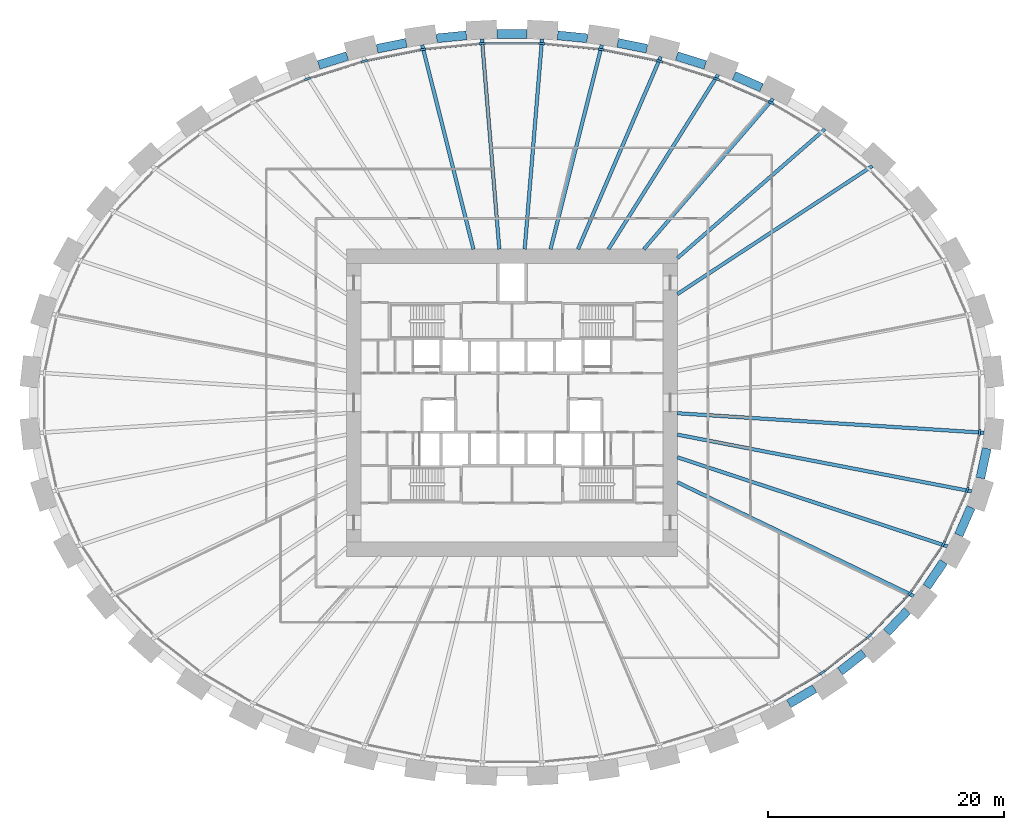
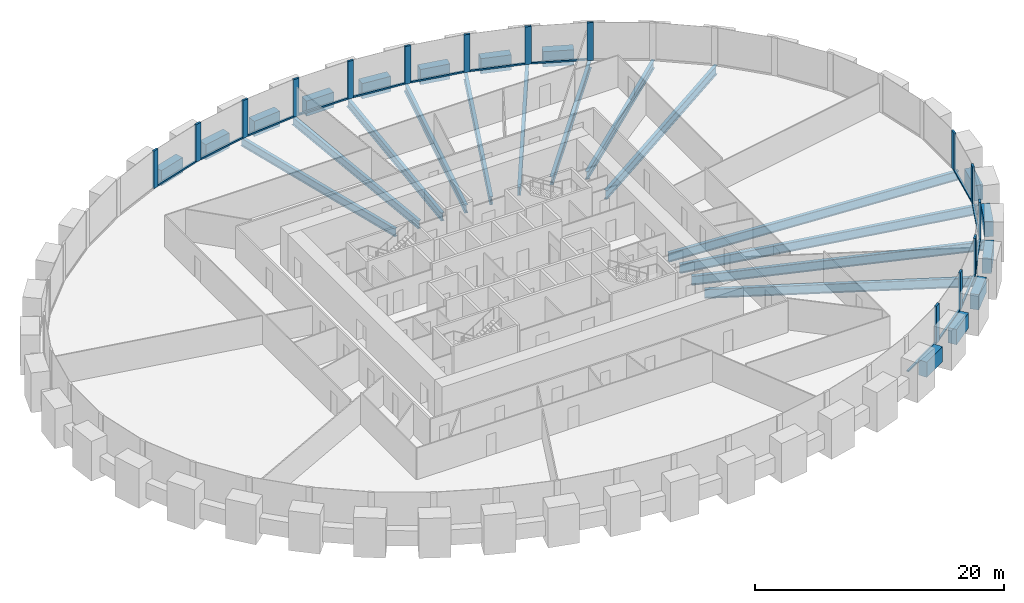
# One storey, part 3 of 11: 29 members, 27 beams, 1 element without a shape of its own.
"""IFC4 building model written with IfcOpenShell, lengths in metres."""

import ifcopenshell
import ifcopenshell.guid

model = None  # the IFC model being written
_history = None  # IfcOwnerHistory: only IFC2X3 demands one
_inside = {}  # id of a spatial element -> (the spatial element, [elements in it])
_under = {}  # id of a project, library or spatial element -> (it, [spatial elements below it])
_declared = {}  # id of a project -> (the project, [libraries it declares])
_typed = {}  # id of a type object -> (the type object, [elements of that type])
_made_of = {}  # id of a material, layer set ... -> (it, [elements and type objects made of it])


def new_model(schema):
    """Start an empty IFC model of exactly this schema.

    Asked for "IFC4X3", IfcOpenShell would pick the latest addendum, in which some entities
    have other attributes; the version numbers below select the first issue.
    IFC2X3 requires an IfcOwnerHistory on every rooted entity: one is made here for all.
    """
    global model, _history
    if schema == "IFC4X3":
        model = ifcopenshell.file(schema_version=(4, 3, 0, 0))
    else:
        model = ifcopenshell.file(schema=schema)
    _inside.clear()
    _under.clear()
    _declared.clear()
    _typed.clear()
    _made_of.clear()
    _history = None
    if model.schema == "IFC2X3":
        org = make("IfcOrganization", Name="unknown")
        user = make(
            "IfcPersonAndOrganization",
            ThePerson=make("IfcPerson", FamilyName="unknown"),
            TheOrganization=org,
        )
        app = make(
            "IfcApplication",
            ApplicationDeveloper=org,
            Version="unknown",
            ApplicationFullName="unknown",
            ApplicationIdentifier="unknown",
        )
        _history = make(
            "IfcOwnerHistory",
            OwningUser=user,
            OwningApplication=app,
            ChangeAction="ADDED",
            CreationDate=0,
        )
    return model


def make(cls, **values):
    """One entity of the class cls with the attributes given. An attribute that is None is left unset."""
    return model.create_entity(
        cls, **{name: value for name, value in values.items() if value is not None}
    )


def rooted(cls, **values):
    """An entity with a GlobalId (a new one), such as an element, a storey or a relation."""
    return make(cls, GlobalId=ifcopenshell.guid.new(), OwnerHistory=_history, **values)


def si_unit(unit_type, name, prefix=None):
    """IfcSIUnit, for example si_unit("LENGTHUNIT", "METRE", prefix="MILLI")."""
    return make("IfcSIUnit", UnitType=unit_type, Prefix=prefix, Name=name)


def assignment(units):
    """IfcUnitAssignment: the units of a project."""
    return None if units is None else make("IfcUnitAssignment", Units=units)


def point(xyz):
    """IfcCartesianPoint."""
    return None if xyz is None else make("IfcCartesianPoint", Coordinates=xyz)


def direction(xyz):
    """IfcDirection."""
    return None if xyz is None else make("IfcDirection", DirectionRatios=xyz)


def frame(location, z_axis=None, x_axis=None):
    """IfcAxis2Placement3D, a coordinate frame: its origin and axes. An axis left out is left unset."""
    return make(
        "IfcAxis2Placement3D",
        Location=point(location),
        Axis=direction(z_axis),
        RefDirection=direction(x_axis),
    )


def frame_2d(location, x_axis=None):
    """IfcAxis2Placement2D, a coordinate frame in the plane: its origin and x axis."""
    return make(
        "IfcAxis2Placement2D", Location=point(location), RefDirection=direction(x_axis)
    )


def origin():
    """The frame at (0, 0, 0) with its axes left unset."""
    return frame((0.0, 0.0, 0.0))


def origin_2d():
    """The frame at (0, 0) in the plane with its x axis left unset."""
    return frame_2d((0.0, 0.0))


def place(relative_to, where):
    """IfcLocalPlacement: puts the frame where relative to a parent placement (None: the world)."""
    return make(
        "IfcLocalPlacement", PlacementRelTo=relative_to, RelativePlacement=where
    )


def context(
    kind, dimensions, precision=None, world=None, true_north=None, identifier=None
):
    """IfcGeometricRepresentationContext, for example the 3D "Model" context."""
    return make(
        "IfcGeometricRepresentationContext",
        ContextIdentifier=identifier,
        ContextType=kind,
        CoordinateSpaceDimension=dimensions,
        Precision=precision,
        WorldCoordinateSystem=world,
        TrueNorth=true_north,
    )


def subcontext(parent, identifier, kind, view, scale=None):
    """IfcGeometricRepresentationSubContext, for example "Body" below "Model"."""
    return make(
        "IfcGeometricRepresentationSubContext",
        ContextIdentifier=identifier,
        ContextType=kind,
        ParentContext=parent,
        TargetScale=scale,
        TargetView=view,
    )


def project(units=None, contexts=None):
    """IfcProject with its units and contexts."""
    return rooted(
        "IfcProject",
        Name="project",
        RepresentationContexts=contexts,
        UnitsInContext=assignment(units),
    )


def spatial(cls, under=None, at=None, **own):
    """A site, building, storey or space (cls), placed at a placement, below another one or the project."""
    s = rooted(cls, ObjectPlacement=at, **own)
    if under is not None:
        _under.setdefault(under.id(), (under, []))[1].append(s)
    return s


def profile(cls, at=None, kind="AREA", **sizes):
    """A parametric profile (cls). Its sizes go by their IFC names, for example OverallWidth=200.0."""
    return make(cls, ProfileType=kind, Position=at, **sizes)


def rectangle(**sizes):
    """IfcRectangleProfileDef."""
    return profile("IfcRectangleProfileDef", **sizes)


def i_section(**sizes):
    """IfcIShapeProfileDef."""
    return profile("IfcIShapeProfileDef", **sizes)


def extrude(swept, where, along, depth):
    """IfcExtrudedAreaSolid: the profile swept, set in the frame where, extruded along a direction by depth."""
    return make(
        "IfcExtrudedAreaSolid",
        SweptArea=swept,
        Position=where,
        ExtrudedDirection=direction(along),
        Depth=depth,
    )


def shape(context_of_items, identifier, shape_type, items):
    """IfcShapeRepresentation: the items that make up one representation, for example the "Body"."""
    return make(
        "IfcShapeRepresentation",
        ContextOfItems=context_of_items,
        RepresentationIdentifier=identifier,
        RepresentationType=shape_type,
        Items=items,
    )


def source(mapping_origin, context_of_items, identifier, shape_type, items):
    """IfcRepresentationMap: a shape defined once, which mapped items show again and again."""
    return make(
        "IfcRepresentationMap",
        MappingOrigin=mapping_origin,
        MappedRepresentation=shape(context_of_items, identifier, shape_type, items),
    )


def transform(
    local_origin,
    x_axis=None,
    y_axis=None,
    z_axis=None,
    scale=None,
    scale2=None,
    scale3=None,
    uniform=True,
):
    """IfcCartesianTransformationOperator3D, or its non-uniform kind. x_axis, y_axis, z_axis: its Axis1, 2, 3."""
    if uniform:
        return make(
            "IfcCartesianTransformationOperator3D",
            Axis1=direction(x_axis),
            Axis2=direction(y_axis),
            LocalOrigin=point(local_origin),
            Scale=scale,
            Axis3=direction(z_axis),
        )
    return make(
        "IfcCartesianTransformationOperator3DnonUniform",
        Axis1=direction(x_axis),
        Axis2=direction(y_axis),
        LocalOrigin=point(local_origin),
        Scale=scale,
        Axis3=direction(z_axis),
        Scale2=scale2,
        Scale3=scale3,
    )


def mapped(mapping_source, mapping_target):
    """IfcMappedItem: shows the shape of a source again, moved by a transform."""
    return make(
        "IfcMappedItem", MappingSource=mapping_source, MappingTarget=mapping_target
    )


def material(Name=None, Category=None):
    """IfcMaterial."""
    return make("IfcMaterial", Name=Name, Category=Category)


def material_profile(
    of_material, cross_section, Name=None, Category=None, Priority=None
):
    """IfcMaterialProfile: a cross section and its material."""
    return make(
        "IfcMaterialProfile",
        Name=Name,
        Material=of_material,
        Profile=cross_section,
        Priority=Priority,
        Category=Category,
    )


def profile_set(profiles, Name=None, composite=None):
    """IfcMaterialProfileSet."""
    return make(
        "IfcMaterialProfileSet",
        Name=Name,
        MaterialProfiles=profiles,
        CompositeProfile=composite,
    )


def made_of(thing, what):
    """Note that an element or type object is made of a material, layer set ...; save() writes the relation."""
    if what is not None:
        _made_of.setdefault(what.id(), (what, []))[1].append(thing)
    return thing


def type_object(cls, material=None, **own):
    """A type object (cls), such as IfcWallType, which elements share."""
    return made_of(rooted(cls, **own), material)


def element(
    cls,
    number,
    at=None,
    inside=None,
    cuts=None,
    type_object=None,
    material=None,
    context=None,
    identifier="Body",
    shape_type=None,
    held_by="IfcProductDefinitionShape",
    body=None,
    shapes=None,
    **own,
):
    """One element of the class cls, such as IfcWall. Its Tag is "e" and its number.

    at: its placement. inside: the storey or other place that contains it. cuts: it is an
    opening in that element (IfcRelVoidsElement). A single representation is given by context,
    identifier, shape_type and body (its items); several are given by shapes. held_by: the class
    of the entity that holds the representations. save() writes the other relations.
    """
    e = rooted(cls, Tag="e%d" % number, ObjectPlacement=at, **own)
    if body is not None:
        shapes = [shape(context, identifier, shape_type, body)]
    if shapes is not None:
        e.Representation = make(held_by, Representations=shapes)
    if inside is not None:
        _inside.setdefault(inside.id(), (inside, []))[1].append(e)
    if cuts is not None:
        rooted(
            "IfcRelVoidsElement", RelatingBuildingElement=cuts, RelatedOpeningElement=e
        )
    if type_object is not None:
        _typed.setdefault(type_object.id(), (type_object, []))[1].append(e)
    return made_of(e, material)


def aggregate(whole, parts):
    """IfcRelAggregates: a whole, such as a stair, and the parts it consists of."""
    return rooted("IfcRelAggregates", RelatingObject=whole, RelatedObjects=parts)


def save(model, path):
    """Write the relations noted so far, then the file.

    IfcRelAggregates (storeys below a building ...), IfcRelContainedInSpatialStructure (elements
    in a storey), IfcRelDefinesByType, IfcRelAssociatesMaterial and IfcRelDeclares: one each for
    every whole, place, type object, material and project.
    """
    for whole, parts in _under.values():
        aggregate(whole, parts)
    for where, things in _inside.values():
        rooted(
            "IfcRelContainedInSpatialStructure",
            RelatedElements=things,
            RelatingStructure=where,
        )
    for kind, things in _typed.values():
        rooted("IfcRelDefinesByType", RelatedObjects=things, RelatingType=kind)
    for what, things in _made_of.values():
        rooted("IfcRelAssociatesMaterial", RelatedObjects=things, RelatingMaterial=what)
    for by, libraries in _declared.values():
        rooted("IfcRelDeclares", RelatingContext=by, RelatedDefinitions=libraries)
    model.write(path)


model = new_model("IFC4")

# Units and contexts
model_context = context("Model", 3, precision=1e-05, world=origin(), true_north=direction((0.0, 1.0)))
body_context = subcontext(model_context, "Body", "Model", "MODEL_VIEW")
ifc_project = project(units=[si_unit("LENGTHUNIT", "METRE"), si_unit("AREAUNIT", "SQUARE_METRE"), si_unit("VOLUMEUNIT", "CUBIC_METRE"), si_unit("PLANEANGLEUNIT", "RADIAN"), si_unit("MASSUNIT", "GRAM", prefix="KILO")], contexts=[model_context])

# Site, building, storey
site_placement = place(None, origin())
site = spatial("IfcSite", under=ifc_project, at=site_placement, CompositionType="ELEMENT")
building_placement = place(site_placement, origin())
building = spatial("IfcBuilding", under=site, at=building_placement, Name="Embergate Tower", CompositionType="ELEMENT")
storey_placement = place(building_placement, frame((0.0, 0.0, 69.800048828125)))
storey = spatial("IfcBuildingStorey", under=building, at=storey_placement, Name="L13", CompositionType="ELEMENT", Elevation=69.800048828125)

# Beams
ifc_material_1 = material(Name="Concrete C70", Category="concrete")
ifc_material_profile_1 = material_profile(ifc_material_1, rectangle(XDim=0.75, YDim=1.5, at=origin_2d()), Name="RC 750x1500")
ifc_profile_set_1 = profile_set([ifc_material_profile_1], Name="Concrete C70")
beam_type_1 = type_object("IfcBeamType", Name="Spandrel beam RC 750x1500 C70", PredefinedType="BEAM", material=ifc_profile_set_1)
shared_shape_1 = source(origin(), body_context, "Body", "SweptSolid", [
    extrude(rectangle(XDim=0.75, YDim=1.5, at=origin_2d()), origin(), (0.0, 0.0, 1.0), 2.5498046875),
])
beam_1_placement = place(storey_placement, frame((31.72509765625, -19.4541015625, 0.0), z_axis=(0.689760361446, 0.724037736432, 0.0), x_axis=(-0.724037736432, 0.689760361446, 0.0)))
element("IfcBeam", 1, at=beam_1_placement, inside=storey, type_object=beam_type_1, Name="SPN-L13-39", PredefinedType="BEAM", context=body_context, shape_type="MappedRepresentation", body=[
    mapped(shared_shape_1, transform((0.0, 0.0, 0.0))),
])
shared_shape_2 = source(origin(), body_context, "Body", "SweptSolid", [
    extrude(rectangle(XDim=0.75, YDim=1.5, at=origin_2d()), origin(), (0.0, 0.0, 1.0), 2.5693359375),
])
beam_2_placement = place(storey_placement, frame((39.662109375, -6.383056640625, 0.0), z_axis=(0.210093623492, 0.977681271871, 0.0), x_axis=(-0.977681271871, 0.210093623492, 0.0)))
element("IfcBeam", 2, at=beam_2_placement, inside=storey, type_object=beam_type_1, Name="SPN-L13-42", PredefinedType="BEAM", context=body_context, shape_type="MappedRepresentation", body=[
    mapped(shared_shape_2, transform((0.0, 0.0, 0.0))),
])
shared_shape_3 = source(origin(), body_context, "Body", "SweptSolid", [
    extrude(rectangle(XDim=0.75, YDim=1.5, at=origin_2d()), origin(), (0.0, 0.0, 1.0), 2.56591796875),
])
beam_3_placement = place(storey_placement, frame((37.83203125, -11.20703125, 0.0), z_axis=(0.401427690069, 0.915890719271, 0.0), x_axis=(-0.915890719271, 0.401427690069, 0.0)))
element("IfcBeam", 3, at=beam_3_placement, inside=storey, type_object=beam_type_1, Name="SPN-L13-41", PredefinedType="BEAM", context=body_context, shape_type="MappedRepresentation", body=[
    mapped(shared_shape_3, transform((0.0, 0.0, 0.0))),
])
shared_shape_4 = source(origin(), body_context, "Body", "SweptSolid", [
    extrude(rectangle(XDim=0.75, YDim=1.5, at=origin_2d()), origin(), (0.0, 0.0, 1.0), 2.556640625),
])
beam_4_placement = place(storey_placement, frame((35.117919921875, -15.5859375, 0.0), z_axis=(0.562432772417, 0.826843018058, 0.0), x_axis=(-0.826843018058, 0.562432772417, 0.0)))
element("IfcBeam", 4, at=beam_4_placement, inside=storey, type_object=beam_type_1, Name="SPN-L13-40", PredefinedType="BEAM", context=body_context, shape_type="MappedRepresentation", body=[
    mapped(shared_shape_4, transform((0.0, 0.0, 0.0))),
])
shared_shape_5 = source(origin(), body_context, "Body", "SweptSolid", [
    extrude(rectangle(XDim=0.75, YDim=1.5, at=origin_2d()), origin(), (0.0, 0.0, 1.0), 2.542724609375),
])
beam_5_placement = place(storey_placement, frame((27.779052734375, -22.748046875, 0.0), z_axis=(0.788472504965, 0.615070003264, 0.0), x_axis=(-0.615070003264, 0.788472504965, 0.0)))
element("IfcBeam", 5, at=beam_5_placement, inside=storey, type_object=beam_type_1, Name="SPN-L13-38", PredefinedType="BEAM", context=body_context, shape_type="MappedRepresentation", body=[
    mapped(shared_shape_5, transform((0.0, 0.0, 0.0))),
])
shared_shape_6 = source(origin(), body_context, "Body", "SweptSolid", [
    extrude(rectangle(XDim=0.75, YDim=1.5, at=origin_2d()), origin(), (0.0, 0.0, 1.0), 2.537109375),
])
beam_6_placement = place(storey_placement, frame((23.44189453125, -25.49609375, 0.0), z_axis=(0.861993577549, 0.506919196978, 0.0), x_axis=(-0.506919196978, 0.861993577549, 0.0)))
element("IfcBeam", 6, at=beam_6_placement, inside=storey, type_object=beam_type_1, Name="SPN-L13-37", PredefinedType="BEAM", context=body_context, shape_type="MappedRepresentation", body=[
    mapped(shared_shape_6, transform((0.0, 0.0, 0.0))),
])
shared_shape_7 = source(origin(), body_context, "Body", "SweptSolid", [
    extrude(rectangle(XDim=0.75, YDim=1.5, at=origin_2d()), origin(), (0.0, 0.0, 1.0), 2.53466796875),
])
beam_7_placement = place(storey_placement, frame((21.1259765625, 26.677978515625, 0.0), z_axis=(-0.91612417153, 0.400894627474, 0.0), x_axis=(-0.400894627474, -0.91612417153, 0.0)))
element("IfcBeam", 7, at=beam_7_placement, inside=storey, type_object=beam_type_1, Name="SPN-L13-06", PredefinedType="BEAM", context=body_context, shape_type="MappedRepresentation", body=[
    mapped(shared_shape_7, transform((0.0, 0.0, 0.0))),
])
shared_shape_8 = source(origin(), body_context, "Body", "SweptSolid", [
    extrude(rectangle(XDim=0.75, YDim=1.5, at=origin_2d()), origin(), (0.0, 0.0, 1.0), 2.5322265625),
])
for number, where, z_axis, x_axis, name in (
    (8, (16.367919921875, 28.60302734375, 0.0), (-0.954890803875, 0.296957156294, 0.0), (-0.296957156294, -0.954890803875, 0.0), "SPN-L13-07"),
    (9, (-13.949951171875, 29.35498046875, 0.0), (-0.954890803875, -0.296957156294, 0.0), (0.296957156294, -0.954890803875, 0.0), "SPN-L13-13"),
):
    element("IfcBeam", number, at=place(storey_placement, frame(where, z_axis=z_axis, x_axis=x_axis)), inside=storey, type_object=beam_type_1, Name=name, PredefinedType="BEAM", context=body_context, shape_type="MappedRepresentation", body=[
        mapped(shared_shape_8, transform((0.0, 0.0, 0.0))),
    ])
shared_shape_9 = source(origin(), body_context, "Body", "SweptSolid", [
    extrude(rectangle(XDim=0.75, YDim=1.5, at=origin_2d()), origin(), (0.0, 0.0, 1.0), 2.5283203125),
])
for number, where, z_axis, x_axis, name in (
    (10, (11.426025390625, 29.97900390625, 0.0), (-0.980483995477, 0.19659891814, 0.0), (-0.19659891814, -0.980483995477, 0.0), "SPN-L13-08"),
    (11, (-8.947021484375, 30.47607421875, 0.0), (-0.980483995477, -0.19659891814, 0.0), (0.19659891814, -0.980483995477, 0.0), "SPN-L13-12"),
):
    element("IfcBeam", number, at=place(storey_placement, frame(where, z_axis=z_axis, x_axis=x_axis)), inside=storey, type_object=beam_type_1, Name=name, PredefinedType="BEAM", context=body_context, shape_type="MappedRepresentation", body=[
        mapped(shared_shape_9, transform((0.0, 0.0, 0.0))),
    ])
shared_shape_10 = source(origin(), body_context, "Body", "SweptSolid", [
    extrude(rectangle(XDim=0.75, YDim=1.5, at=origin_2d()), origin(), (0.0, 0.0, 1.0), 2.52685546875),
])
for number, where, z_axis, x_axis, name in (
    (12, (6.3759765625, 30.860107421875, 0.0), (-0.995218218031, 0.097676499217, 0.0), (-0.097676499217, -0.995218218031, 0.0), "SPN-L13-09"),
    (13, (-3.861083984375, 31.10693359375, 0.0), (-0.995218218031, -0.097676499217, 0.0), (0.097676499217, -0.995218218031, 0.0), "SPN-L13-11"),
):
    element("IfcBeam", number, at=place(storey_placement, frame(where, z_axis=z_axis, x_axis=x_axis)), inside=storey, type_object=beam_type_1, Name=name, PredefinedType="BEAM", context=body_context, shape_type="MappedRepresentation", body=[
        mapped(shared_shape_10, transform((0.0, 0.0, 0.0))),
    ])
shared_shape_11 = source(origin(), body_context, "Body", "SweptSolid", [
    extrude(rectangle(XDim=0.75, YDim=1.5, at=origin_2d()), origin(), (0.0, 0.0, 1.0), 2.52783203125),
])
beam_8_placement = place(storey_placement, frame((1.263916015625, 31.23388671875, 0.0), z_axis=(-1.0, 0.0, 0.0), x_axis=(0.0, -1.0, 0.0)))
element("IfcBeam", 14, at=beam_8_placement, inside=storey, type_object=beam_type_1, Name="SPN-L13-10", PredefinedType="BEAM", context=body_context, shape_type="MappedRepresentation", body=[
    mapped(shared_shape_11, transform((0.0, 0.0, 0.0))),
])
ifc_material_2 = material(Name="Steel Q355B", Category="steel")
ifc_material_profile_2 = material_profile(ifc_material_2, i_section(OverallWidth=0.300048828125, OverallDepth=0.89990234375, WebThickness=0.01611328125, FlangeThickness=0.028076171875, FilletRadius=0.028076171875, at=origin_2d()), Name="HN 900x300x16x28")
ifc_profile_set_2 = profile_set([ifc_material_profile_2], Name="Steel Q355 grade B")
beam_type_2 = type_object("IfcBeamType", Name="Radial girder HN 900x300x16x28", PredefinedType="BEAM", material=ifc_profile_set_2)
shared_shape_12 = source(origin(), body_context, "Body", "SweptSolid", [
    extrude(i_section(OverallWidth=0.300048828125, OverallDepth=0.89990234375, WebThickness=0.01611328125, FlangeThickness=0.028076171875, FilletRadius=0.028076171875, at=origin_2d()), origin(), (0.0, 0.0, 1.0), 26.034423828125),
])
beam_9_placement = place(storey_placement, frame((39.98193359375, -2.5400390625, -0.650146484375), z_axis=(-0.997986864702, 0.063420957753, 0.0), x_axis=(-0.063420957753, -0.997986864702, 0.0)))
element("IfcBeam", 15, at=beam_9_placement, inside=storey, type_object=beam_type_2, Name="GIR-L13-43", PredefinedType="BEAM", context=body_context, shape_type="MappedRepresentation", body=[
    mapped(shared_shape_12, transform((0.0, 0.0, 0.0))),
])
shared_shape_13 = source(origin(), body_context, "Body", "SweptSolid", [
    extrude(i_section(OverallWidth=0.300048828125, OverallDepth=0.89990234375, WebThickness=0.01611328125, FlangeThickness=0.028076171875, FilletRadius=0.028076171875, at=origin_2d()), origin(), (0.0, 0.0, 1.0), 25.373291015625),
])
beam_10_placement = place(storey_placement, frame((38.9140625, -7.507080078125, -0.650146484375), z_axis=(-0.981896748495, 0.189416935078, 0.0), x_axis=(-0.189416935078, -0.981896748495, 0.0)))
element("IfcBeam", 16, at=beam_10_placement, inside=storey, type_object=beam_type_2, Name="GIR-L13-42", PredefinedType="BEAM", context=body_context, shape_type="MappedRepresentation", body=[
    mapped(shared_shape_13, transform((0.0, 0.0, 0.0))),
])
shared_shape_14 = source(origin(), body_context, "Body", "SweptSolid", [
    extrude(i_section(OverallWidth=0.300048828125, OverallDepth=0.89990234375, WebThickness=0.01611328125, FlangeThickness=0.028076171875, FilletRadius=0.028076171875, at=origin_2d()), origin(), (0.0, 0.0, 1.0), 24.0849609375),
])
beam_11_placement = place(storey_placement, frame((36.873046875, -12.160888671875, -0.650146484375), z_axis=(-0.949680038857, 0.313221684748, 0.0), x_axis=(-0.313221684748, -0.949680038857, 0.0)))
element("IfcBeam", 17, at=beam_11_placement, inside=storey, type_object=beam_type_2, Name="GIR-L13-41", PredefinedType="BEAM", context=body_context, shape_type="MappedRepresentation", body=[
    mapped(shared_shape_14, transform((0.0, 0.0, 0.0))),
])
shared_shape_15 = source(origin(), body_context, "Body", "SweptSolid", [
    extrude(i_section(OverallWidth=0.300048828125, OverallDepth=0.89990234375, WebThickness=0.01611328125, FlangeThickness=0.028076171875, FilletRadius=0.028076171875, at=origin_2d()), origin(), (0.0, 0.0, 1.0), 22.210693359375),
])
beam_12_placement = place(storey_placement, frame((34.014892578125, -16.364013671875, -0.650146484375), z_axis=(-0.90114054222, 0.433527073165, 0.0), x_axis=(-0.433527073165, -0.90114054222, 0.0)))
element("IfcBeam", 18, at=beam_12_placement, inside=storey, type_object=beam_type_2, Name="GIR-L13-40", PredefinedType="BEAM", context=body_context, shape_type="MappedRepresentation", body=[
    mapped(shared_shape_15, transform((0.0, 0.0, 0.0))),
])
shared_shape_16 = source(origin(), body_context, "Body", "SweptSolid", [
    extrude(i_section(OverallWidth=0.300048828125, OverallDepth=0.89990234375, WebThickness=0.01611328125, FlangeThickness=0.028076171875, FilletRadius=0.028076171875, at=origin_2d()), origin(), (0.0, 0.0, 1.0), 19.75),
])
beam_13_placement = place(storey_placement, frame((30.506103515625, 20.04296875, -0.650146484375), z_axis=(-0.835749566876, -0.549110791614, 0.0), x_axis=(0.549110791614, -0.835749566876, 0.0)))
element("IfcBeam", 19, at=beam_13_placement, inside=storey, type_object=beam_type_2, Name="GIR-L13-04", PredefinedType="BEAM", context=body_context, shape_type="MappedRepresentation", body=[
    mapped(shared_shape_16, transform((0.0, 0.0, 0.0))),
])
ifc_material_profile_3 = material_profile(ifc_material_2, i_section(OverallWidth=0.300048828125, OverallDepth=0.800048828125, WebThickness=0.013916015625, FlangeThickness=0.02587890625, FilletRadius=0.028076171875, at=origin_2d()), Name="HN 800x300x14x26")
ifc_profile_set_3 = profile_set([ifc_material_profile_3], Name="Steel Q355 grade B")
beam_type_3 = type_object("IfcBeamType", Name="Radial girder HN 800x300x14x26", PredefinedType="BEAM", material=ifc_profile_set_3)
shared_shape_17 = source(origin(), body_context, "Body", "SweptSolid", [
    extrude(i_section(OverallWidth=0.300048828125, OverallDepth=0.800048828125, WebThickness=0.013916015625, FlangeThickness=0.02587890625, FilletRadius=0.028076171875, at=origin_2d()), origin(), (0.0, 0.0, 1.0), 16.60205078125),
])
beam_14_placement = place(storey_placement, frame((26.4970703125, 23.172119140625, -0.60009765625), z_axis=(-0.752747930404, -0.65830885857, 0.0), x_axis=(0.65830885857, -0.752747930404, 0.0)))
element("IfcBeam", 20, at=beam_14_placement, inside=storey, type_object=beam_type_3, Name="GIR-L13-05", PredefinedType="BEAM", context=body_context, shape_type="MappedRepresentation", body=[
    mapped(shared_shape_17, transform((0.0, 0.0, 0.0))),
])
shared_shape_18 = source(origin(), body_context, "Body", "SweptSolid", [
    extrude(i_section(OverallWidth=0.300048828125, OverallDepth=0.800048828125, WebThickness=0.013916015625, FlangeThickness=0.02587890625, FilletRadius=0.028076171875, at=origin_2d()), origin(), (0.0, 0.0, 1.0), 16.805908203125),
])
beam_15_placement = place(storey_placement, frame((22.113037109375, 25.75, -0.60009765625), z_axis=(-0.651490955051, -0.758656401467, 0.0), x_axis=(0.758656401467, -0.651490955051, 0.0)))
element("IfcBeam", 21, at=beam_15_placement, inside=storey, type_object=beam_type_3, Name="GIR-L13-06", PredefinedType="BEAM", context=body_context, shape_type="MappedRepresentation", body=[
    mapped(shared_shape_18, transform((0.0, 0.0, 0.0))),
])
shared_shape_19 = source(origin(), body_context, "Body", "SweptSolid", [
    extrude(i_section(OverallWidth=0.300048828125, OverallDepth=0.800048828125, WebThickness=0.013916015625, FlangeThickness=0.02587890625, FilletRadius=0.028076171875, at=origin_2d()), origin(), (0.0, 0.0, 1.0), 17.463623046875),
])
beam_16_placement = place(storey_placement, frame((17.451904296875, 27.7890625, -0.60009765625), z_axis=(-0.531837384954, -0.846846500828, 0.0), x_axis=(0.846846500828, -0.531837384954, 0.0)))
element("IfcBeam", 22, at=beam_16_placement, inside=storey, type_object=beam_type_3, Name="GIR-L13-07", PredefinedType="BEAM", context=body_context, shape_type="MappedRepresentation", body=[
    mapped(shared_shape_19, transform((0.0, 0.0, 0.0))),
])
shared_shape_20 = source(origin(), body_context, "Body", "SweptSolid", [
    extrude(i_section(OverallWidth=0.300048828125, OverallDepth=0.800048828125, WebThickness=0.013916015625, FlangeThickness=0.02587890625, FilletRadius=0.028076171875, at=origin_2d()), origin(), (0.0, 0.0, 1.0), 17.7431640625),
])
beam_17_placement = place(storey_placement, frame((12.594970703125, 29.301025390625, -0.60009765625), z_axis=(-0.394915454917, -0.918717466617, 0.0), x_axis=(0.918717466617, -0.394915454917, 0.0)))
element("IfcBeam", 23, at=beam_17_placement, inside=storey, type_object=beam_type_3, Name="GIR-L13-08", PredefinedType="BEAM", context=body_context, shape_type="MappedRepresentation", body=[
    mapped(shared_shape_20, transform((0.0, 0.0, 0.0))),
])
shared_shape_21 = source(origin(), body_context, "Body", "SweptSolid", [
    extrude(i_section(OverallWidth=0.300048828125, OverallDepth=0.800048828125, WebThickness=0.013916015625, FlangeThickness=0.02587890625, FilletRadius=0.028076171875, at=origin_2d()), origin(), (0.0, 0.0, 1.0), 17.837890625),
])
for number, where, z_axis, x_axis, name in (
    (24, (7.60693359375, 30.301025390625, -0.60009765625), (-0.243472648056, -0.969907763475, 0.0), (0.969907763475, -0.243472648056, 0.0), "GIR-L13-09"),
    (25, (-7.60693359375, 30.301025390625, -0.60009765625), (0.243472648056, -0.969907763475, 0.0), (0.969907763475, 0.243472648056, 0.0), "GIR-L13-12"),
):
    element("IfcBeam", number, at=place(storey_placement, frame(where, z_axis=z_axis, x_axis=x_axis)), inside=storey, type_object=beam_type_3, Name=name, PredefinedType="BEAM", context=body_context, shape_type="MappedRepresentation", body=[
        mapped(shared_shape_21, transform((0.0, 0.0, 0.0))),
    ])
shared_shape_22 = source(origin(), body_context, "Body", "SweptSolid", [
    extrude(i_section(OverallWidth=0.300048828125, OverallDepth=0.800048828125, WebThickness=0.013916015625, FlangeThickness=0.02587890625, FilletRadius=0.028076171875, at=origin_2d()), origin(), (0.0, 0.0, 1.0), 17.859619140625),
])
for number, where, z_axis, x_axis, name in (
    (26, (2.5439453125, 30.799072265625, -0.60009765625), (-0.082306714571, -0.996607046301, 0.0), (0.996607046301, -0.082306714571, 0.0), "GIR-L13-10"),
    (27, (-2.5439453125, 30.799072265625, -0.60009765625), (0.082306714571, -0.996607046301, 0.0), (0.996607046301, 0.082306714571, 0.0), "GIR-L13-11"),
):
    element("IfcBeam", number, at=place(storey_placement, frame(where, z_axis=z_axis, x_axis=x_axis)), inside=storey, type_object=beam_type_3, Name=name, PredefinedType="BEAM", context=body_context, shape_type="MappedRepresentation", body=[
        mapped(shared_shape_22, transform((0.0, 0.0, 0.0))),
    ])

# Curtain wall, members
ifc_material_3 = material(Name="Aluminium and glass", Category="aluminium")
curtain_wall_type = type_object("IfcCurtainWallType", Name="Recessed office glazing", PredefinedType="NOTDEFINED", material=ifc_material_3)
curtain_wall_placement = place(storey_placement, origin())
curtain_wall = element("IfcCurtainWall", 28, at=curtain_wall_placement, inside=storey, type_object=curtain_wall_type, Name="Recessed office glazing ring", ObjectType="RECESSED OFFICE GLAZING", PredefinedType="USERDEFINED")
ifc_material_4 = material(Name="Aluminium, thermally broken", Category="aluminium")
ifc_material_profile_4 = material_profile(ifc_material_4, rectangle(XDim=0.179931640625, YDim=0.52001953125, at=origin_2d()), Name="AL 520x180")
ifc_profile_set_4 = profile_set([ifc_material_profile_4], Name="Aluminium, thermally broken")
member_type_1 = type_object("IfcMemberType", Name="Office mullion", PredefinedType="MULLION", material=ifc_profile_set_4)
shared_shape_23 = source(origin(), body_context, "Body", "SweptSolid", [
    extrude(rectangle(XDim=0.179931640625, YDim=0.52001953125, at=origin_2d()), origin(), (0.0, 0.0, 1.0), 3.699951171875),
])
member_1_placement = place(storey_placement, frame((21.935791015625, 25.402587890625, 0.0), z_axis=(0.0, 0.0, 1.0), x_axis=(-0.454516044429, -0.890738550506, 0.0)))
member_1 = element("IfcMember", 29, at=member_1_placement, type_object=member_type_1, Name="CW mullion 7", PredefinedType="MULLION", context=body_context, shape_type="MappedRepresentation", body=[
    mapped(shared_shape_23, transform((0.0, 0.0, 0.0))),
])
member_2_placement = place(storey_placement, frame((17.31591796875, 27.422607421875, 0.0), z_axis=(0.0, 0.0, 1.0), x_axis=(-0.349507588628, -0.936933533124, 0.0)))
member_2 = element("IfcMember", 30, at=member_2_placement, type_object=member_type_1, Name="CW mullion 8", PredefinedType="MULLION", context=body_context, shape_type="MappedRepresentation", body=[
    mapped(shared_shape_23, transform((0.0, 0.0, 0.0))),
])
member_3_placement = place(storey_placement, frame((12.498779296875, 28.9228515625, 0.0), z_axis=(0.0, 0.0, 1.0), x_axis=(-0.247315263593, -0.968935065107, 0.0)))
member_3 = element("IfcMember", 31, at=member_3_placement, type_object=member_type_1, Name="CW mullion 9", PredefinedType="MULLION", context=body_context, shape_type="MappedRepresentation", body=[
    mapped(shared_shape_23, transform((0.0, 0.0, 0.0))),
])
member_4_placement = place(storey_placement, frame((7.549560546875, 29.915283203125, 0.0), z_axis=(0.0, 0.0, 1.0), x_axis=(-0.14741410908, -0.98907486089, 0.0)))
member_4 = element("IfcMember", 32, at=member_4_placement, type_object=member_type_1, Name="CW mullion 10", PredefinedType="MULLION", context=body_context, shape_type="MappedRepresentation", body=[
    mapped(shared_shape_23, transform((0.0, 0.0, 0.0))),
])
member_5_placement = place(storey_placement, frame((2.524658203125, 30.409423828125, 0.0), z_axis=(0.0, 0.0, 1.0), x_axis=(-0.048971796621, -0.998800161762, 0.0)))
member_5 = element("IfcMember", 33, at=member_5_placement, type_object=member_type_1, Name="CW mullion 11", PredefinedType="MULLION", context=body_context, shape_type="MappedRepresentation", body=[
    mapped(shared_shape_23, transform((0.0, 0.0, 0.0))),
])
member_6_placement = place(storey_placement, frame((-2.524658203125, 30.409423828125, 0.0), z_axis=(0.0, 0.0, 1.0), x_axis=(0.048971796621, -0.998800161762, 0.0)))
member_6 = element("IfcMember", 34, at=member_6_placement, type_object=member_type_1, Name="CW mullion 12", PredefinedType="MULLION", context=body_context, shape_type="MappedRepresentation", body=[
    mapped(shared_shape_23, transform((0.0, 0.0, 0.0))),
])
member_7_placement = place(storey_placement, frame((-7.549560546875, 29.915283203125, 0.0), z_axis=(0.0, 0.0, 1.0), x_axis=(0.14741410908, -0.98907486089, 0.0)))
member_7 = element("IfcMember", 35, at=member_7_placement, type_object=member_type_1, Name="CW mullion 13", PredefinedType="MULLION", context=body_context, shape_type="MappedRepresentation", body=[
    mapped(shared_shape_23, transform((0.0, 0.0, 0.0))),
])
member_8_placement = place(storey_placement, frame((-12.498779296875, 28.9228515625, 0.0), z_axis=(0.0, 0.0, 1.0), x_axis=(0.247315263593, -0.968935065107, 0.0)))
member_8 = element("IfcMember", 36, at=member_8_placement, type_object=member_type_1, Name="CW mullion 14", PredefinedType="MULLION", context=body_context, shape_type="MappedRepresentation", body=[
    mapped(shared_shape_23, transform((0.0, 0.0, 0.0))),
])
member_9_placement = place(storey_placement, frame((-17.31591796875, 27.422607421875, 0.0), z_axis=(0.0, 0.0, 1.0), x_axis=(0.349507588628, -0.936933533124, 0.0)))
member_9 = element("IfcMember", 37, at=member_9_placement, type_object=member_type_1, Name="CW mullion 15", PredefinedType="MULLION", context=body_context, shape_type="MappedRepresentation", body=[
    mapped(shared_shape_23, transform((0.0, 0.0, 0.0))),
])
member_10_placement = place(storey_placement, frame((26.278564453125, -22.849365234375, 0.0), z_axis=(0.0, 0.0, 1.0), x_axis=(-0.562223392005, 0.826985403428, 0.0)))
member_10 = element("IfcMember", 38, at=member_10_placement, type_object=member_type_1, Name="CW mullion 39", PredefinedType="MULLION", context=body_context, shape_type="MappedRepresentation", body=[
    mapped(shared_shape_23, transform((0.0, 0.0, 0.0))),
])
member_11_placement = place(storey_placement, frame((30.2451171875, -19.75341796875, 0.0), z_axis=(0.0, 0.0, 1.0), x_axis=(-0.671234296295, 0.74124524921, 0.0)))
member_11 = element("IfcMember", 39, at=member_11_placement, type_object=member_type_1, Name="CW mullion 40", PredefinedType="MULLION", context=body_context, shape_type="MappedRepresentation", body=[
    mapped(shared_shape_23, transform((0.0, 0.0, 0.0))),
])
member_12_placement = place(storey_placement, frame((33.712158203125, -16.11767578125, 0.0), z_axis=(0.0, 0.0, 1.0), x_axis=(-0.777880241921, 0.628412547002, 0.0)))
member_12 = element("IfcMember", 40, at=member_12_placement, type_object=member_type_1, Name="CW mullion 41", PredefinedType="MULLION", context=body_context, shape_type="MappedRepresentation", body=[
    mapped(shared_shape_23, transform((0.0, 0.0, 0.0))),
])
member_13_placement = place(storey_placement, frame((36.532470703125, -11.970458984375, 0.0), z_axis=(0.0, 0.0, 1.0), x_axis=(-0.875007810402, 0.484108801547, 0.0)))
member_13 = element("IfcMember", 41, at=member_13_placement, type_object=member_type_1, Name="CW mullion 42", PredefinedType="MULLION", context=body_context, shape_type="MappedRepresentation", body=[
    mapped(shared_shape_23, transform((0.0, 0.0, 0.0))),
])
member_14_placement = place(storey_placement, frame((38.543212890625, -7.3857421875, 0.0), z_axis=(0.0, 0.0, 1.0), x_axis=(-0.951501019702, 0.307645590748, 0.0)))
member_14 = element("IfcMember", 42, at=member_14_placement, type_object=member_type_1, Name="CW mullion 43", PredefinedType="MULLION", context=body_context, shape_type="MappedRepresentation", body=[
    mapped(shared_shape_23, transform((0.0, 0.0, 0.0))),
])
member_15_placement = place(storey_placement, frame((39.59521484375, -2.498291015625, 0.0), z_axis=(0.0, 0.0, 1.0), x_axis=(-0.994385324123, 0.105819786286, 0.0)))
member_15 = element("IfcMember", 43, at=member_15_placement, type_object=member_type_1, Name="CW mullion 44", PredefinedType="MULLION", context=body_context, shape_type="MappedRepresentation", body=[
    mapped(shared_shape_23, transform((0.0, 0.0, 0.0))),
])
ifc_material_profile_5 = material_profile(ifc_material_4, rectangle(XDim=0.179931640625, YDim=0.14990234375, at=origin_2d()), Name="AL 150x180")
ifc_profile_set_5 = profile_set([ifc_material_profile_5], Name="Aluminium, thermally broken")
member_type_2 = type_object("IfcMemberType", Name="Office sill transom", PredefinedType="USERDEFINED", material=ifc_profile_set_5)
shared_shape_24 = source(origin(), body_context, "Body", "SweptSolid", [
    extrude(rectangle(XDim=0.179931640625, YDim=0.14990234375, at=origin_2d()), origin(), (0.0, 0.0, 1.0), 4.50390625),
])
member_16_placement = place(storey_placement, frame((30.42431640625, -19.565185546875, 0.074951171875), z_axis=(0.69015852771, 0.723658211194, 0.0), x_axis=(-0.723658211194, 0.69015852771, 0.0)))
member_16 = element("IfcMember", 44, at=member_16_placement, type_object=member_type_2, Name="CW transom 40.1", ObjectType="TRANSOM", PredefinedType="USERDEFINED", context=body_context, shape_type="MappedRepresentation", body=[
    mapped(shared_shape_24, transform((0.0, 0.0, 0.0))),
])
shared_shape_25 = source(origin(), body_context, "Body", "SweptSolid", [
    extrude(rectangle(XDim=0.179931640625, YDim=0.14990234375, at=origin_2d()), origin(), (0.0, 0.0, 1.0), 4.4794921875),
])
member_17_placement = place(storey_placement, frame((38.597900390625, -7.131591796875, 0.074951171875), z_axis=(0.210381382065, 0.977619391216, 0.0), x_axis=(-0.977619391216, 0.210381382065, 0.0)))
member_17 = element("IfcMember", 45, at=member_17_placement, type_object=member_type_2, Name="CW transom 43.1", ObjectType="TRANSOM", PredefinedType="USERDEFINED", context=body_context, shape_type="MappedRepresentation", body=[
    mapped(shared_shape_25, transform((0.0, 0.0, 0.0))),
])
shared_shape_26 = source(origin(), body_context, "Body", "SweptSolid", [
    extrude(rectangle(XDim=0.179931640625, YDim=0.14990234375, at=origin_2d()), origin(), (0.0, 0.0, 1.0), 4.486328125),
])
member_18_placement = place(storey_placement, frame((36.636962890625, -11.732421875, 0.074951171875), z_axis=(0.401655089719, 0.915791018138, 0.0), x_axis=(-0.915791018138, 0.401655089719, 0.0)))
member_18 = element("IfcMember", 46, at=member_18_placement, type_object=member_type_2, Name="CW transom 42.1", ObjectType="TRANSOM", PredefinedType="USERDEFINED", context=body_context, shape_type="MappedRepresentation", body=[
    mapped(shared_shape_26, transform((0.0, 0.0, 0.0))),
])
shared_shape_27 = source(origin(), body_context, "Body", "SweptSolid", [
    extrude(rectangle(XDim=0.179931640625, YDim=0.14990234375, at=origin_2d()), origin(), (0.0, 0.0, 1.0), 4.4951171875),
])
member_19_placement = place(storey_placement, frame((33.8583984375, -15.902587890625, 0.074951171875), z_axis=(0.562347159837, 0.826901246718, 0.0), x_axis=(-0.826901246718, 0.562347159837, 0.0)))
member_19 = element("IfcMember", 47, at=member_19_placement, type_object=member_type_2, Name="CW transom 41.1", ObjectType="TRANSOM", PredefinedType="USERDEFINED", context=body_context, shape_type="MappedRepresentation", body=[
    mapped(shared_shape_27, transform((0.0, 0.0, 0.0))),
])
shared_shape_28 = source(origin(), body_context, "Body", "SweptSolid", [
    extrude(rectangle(XDim=0.179931640625, YDim=0.14990234375, at=origin_2d()), origin(), (0.0, 0.0, 1.0), 4.511474609375),
])
member_20_placement = place(storey_placement, frame((26.4833984375, -22.689208984375, 0.074951171875), z_axis=(0.788345870827, 0.615232304052, 0.0), x_axis=(-0.615232304052, 0.788345870827, 0.0)))
member_20 = element("IfcMember", 48, at=member_20_placement, type_object=member_type_2, Name="CW transom 39.1", ObjectType="TRANSOM", PredefinedType="USERDEFINED", context=body_context, shape_type="MappedRepresentation", body=[
    mapped(shared_shape_28, transform((0.0, 0.0, 0.0))),
])
shared_shape_29 = source(origin(), body_context, "Body", "SweptSolid", [
    extrude(rectangle(XDim=0.179931640625, YDim=0.14990234375, at=origin_2d()), origin(), (0.0, 0.0, 1.0), 4.517578125),
])
member_21_placement = place(storey_placement, frame((22.159912109375, -25.270751953125, 0.074951171875), z_axis=(0.862064774491, 0.506798110279, 0.0), x_axis=(-0.506798110279, 0.862064774491, 0.0)))
member_21 = element("IfcMember", 49, at=member_21_placement, type_object=member_type_2, Name="CW transom 38.1", ObjectType="TRANSOM", PredefinedType="USERDEFINED", context=body_context, shape_type="MappedRepresentation", body=[
    mapped(shared_shape_29, transform((0.0, 0.0, 0.0))),
])
shared_shape_30 = source(origin(), body_context, "Body", "SweptSolid", [
    extrude(rectangle(XDim=0.179931640625, YDim=0.14990234375, at=origin_2d()), origin(), (0.0, 0.0, 1.0), 4.522216796875),
])
member_22_placement = place(storey_placement, frame((21.697509765625, 25.506591796875, 0.074951171875), z_axis=(-0.916232902024, 0.400646064812, 0.0), x_axis=(-0.400646064812, -0.916232902024, 0.0)))
member_22 = element("IfcMember", 50, at=member_22_placement, type_object=member_type_2, Name="CW transom 7.1", ObjectType="TRANSOM", PredefinedType="USERDEFINED", context=body_context, shape_type="MappedRepresentation", body=[
    mapped(shared_shape_30, transform((0.0, 0.0, 0.0))),
])
shared_shape_31 = source(origin(), body_context, "Body", "SweptSolid", [
    extrude(rectangle(XDim=0.179931640625, YDim=0.14990234375, at=origin_2d()), origin(), (0.0, 0.0, 1.0), 4.525390625),
])
member_23_placement = place(storey_placement, frame((17.067626953125, 27.5, 0.074951171875), z_axis=(-0.954780911234, 0.297310295051, 0.0), x_axis=(-0.297310295051, -0.954780911234, 0.0)))
member_23 = element("IfcMember", 51, at=member_23_placement, type_object=member_type_2, Name="CW transom 8.1", ObjectType="TRANSOM", PredefinedType="USERDEFINED", context=body_context, shape_type="MappedRepresentation", body=[
    mapped(shared_shape_31, transform((0.0, 0.0, 0.0))),
])
member_24_placement = place(storey_placement, frame((-12.746826171875, 28.845458984375, 0.074951171875), z_axis=(-0.954780911234, -0.297310295051, 0.0), x_axis=(0.297310295051, -0.954780911234, 0.0)))
member_24 = element("IfcMember", 52, at=member_24_placement, type_object=member_type_2, Name="CW transom 14.1", ObjectType="TRANSOM", PredefinedType="USERDEFINED", context=body_context, shape_type="MappedRepresentation", body=[
    mapped(shared_shape_31, transform((0.0, 0.0, 0.0))),
])
shared_shape_32 = source(origin(), body_context, "Body", "SweptSolid", [
    extrude(rectangle(XDim=0.179931640625, YDim=0.14990234375, at=origin_2d()), origin(), (0.0, 0.0, 1.0), 4.52783203125),
])
member_25_placement = place(storey_placement, frame((12.243896484375, 28.97412109375, 0.074951171875), z_axis=(-0.980485162379, 0.19659309844, 0.0), x_axis=(-0.19659309844, -0.980485162379, 0.0)))
member_25 = element("IfcMember", 53, at=member_25_placement, type_object=member_type_2, Name="CW transom 9.1", ObjectType="TRANSOM", PredefinedType="USERDEFINED", context=body_context, shape_type="MappedRepresentation", body=[
    mapped(shared_shape_32, transform((0.0, 0.0, 0.0))),
])
member_26_placement = place(storey_placement, frame((-7.804443359375, 29.8642578125, 0.074951171875), z_axis=(-0.980485162379, -0.19659309844, 0.0), x_axis=(0.19659309844, -0.980485162379, 0.0)))
member_26 = element("IfcMember", 54, at=member_26_placement, type_object=member_type_2, Name="CW transom 13.1", ObjectType="TRANSOM", PredefinedType="USERDEFINED", context=body_context, shape_type="MappedRepresentation", body=[
    mapped(shared_shape_32, transform((0.0, 0.0, 0.0))),
])
shared_shape_33 = source(origin(), body_context, "Body", "SweptSolid", [
    extrude(rectangle(XDim=0.179931640625, YDim=0.14990234375, at=origin_2d()), origin(), (0.0, 0.0, 1.0), 4.529052734375),
])
member_27_placement = place(storey_placement, frame((7.290771484375, 29.94091796875, 0.074951171875), z_axis=(-0.995207563955, 0.09778499193, 0.0), x_axis=(-0.09778499193, -0.995207563955, 0.0)))
member_27 = element("IfcMember", 55, at=member_27_placement, type_object=member_type_2, Name="CW transom 10.1", ObjectType="TRANSOM", PredefinedType="USERDEFINED", context=body_context, shape_type="MappedRepresentation", body=[
    mapped(shared_shape_33, transform((0.0, 0.0, 0.0))),
])
member_28_placement = place(storey_placement, frame((-2.783447265625, 30.3837890625, 0.074951171875), z_axis=(-0.995207563955, -0.09778499193, 0.0), x_axis=(0.09778499193, -0.995207563955, 0.0)))
member_28 = element("IfcMember", 56, at=member_28_placement, type_object=member_type_2, Name="CW transom 12.1", ObjectType="TRANSOM", PredefinedType="USERDEFINED", context=body_context, shape_type="MappedRepresentation", body=[
    mapped(shared_shape_33, transform((0.0, 0.0, 0.0))),
])
shared_shape_34 = source(origin(), body_context, "Body", "SweptSolid", [
    extrude(rectangle(XDim=0.179931640625, YDim=0.14990234375, at=origin_2d()), origin(), (0.0, 0.0, 1.0), 4.529296875),
])
member_29_placement = place(storey_placement, frame((2.2646484375, 30.409423828125, 0.074951171875), z_axis=(-1.0, 0.0, 0.0), x_axis=(0.0, -1.0, 0.0)))
member_29 = element("IfcMember", 57, at=member_29_placement, type_object=member_type_2, Name="CW transom 11.1", ObjectType="TRANSOM", PredefinedType="USERDEFINED", context=body_context, shape_type="MappedRepresentation", body=[
    mapped(shared_shape_34, transform((0.0, 0.0, 0.0))),
])
aggregate(curtain_wall, [member_1, member_2, member_3, member_4, member_5, member_6, member_7, member_8, member_9, member_10, member_11, member_12, member_13, member_14, member_15, member_22, member_23, member_25, member_27, member_29, member_28, member_26, member_24, member_21, member_20, member_16, member_19, member_18, member_17])

save(model, "model.ifc")
